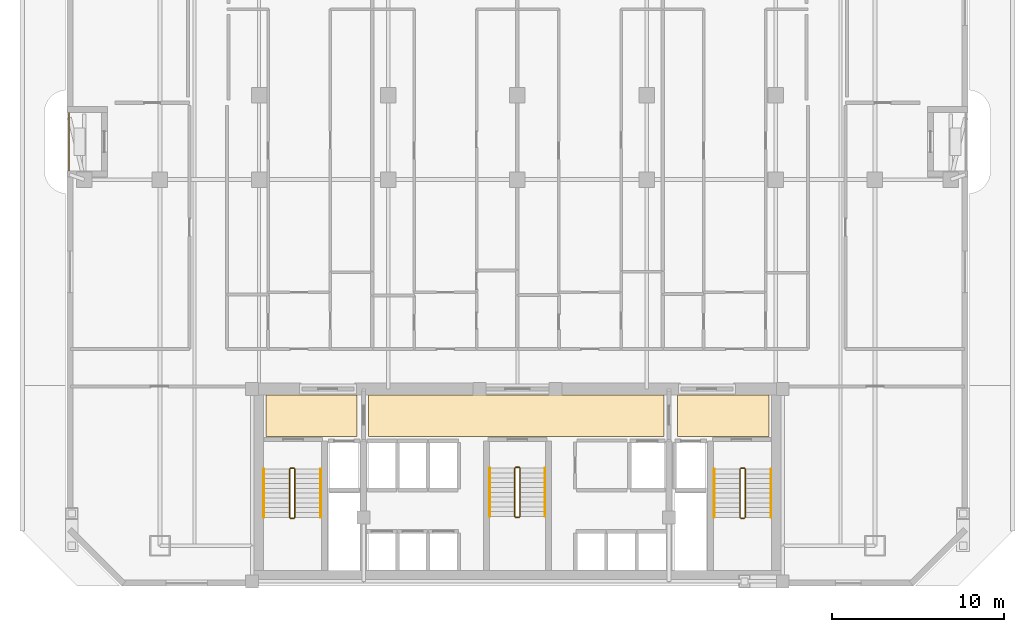
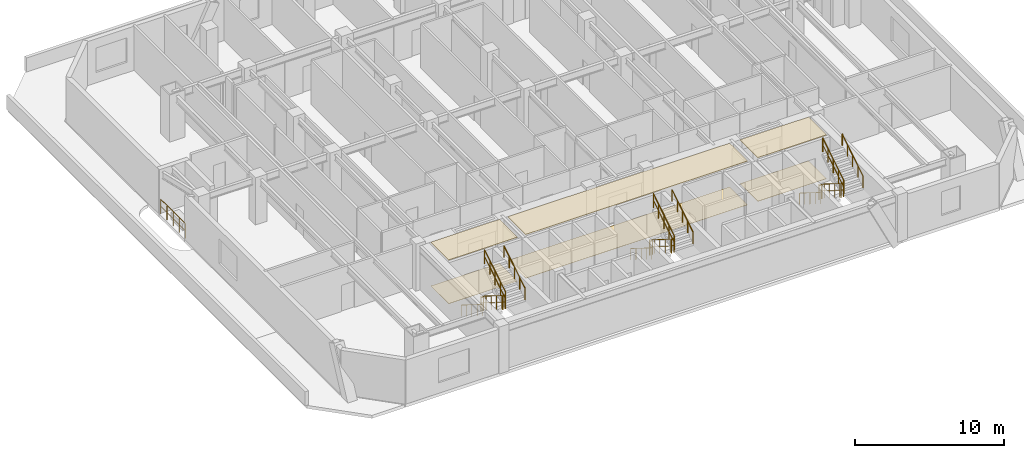
# One storey, part 9 of 10: 19 railings, 6 coverings.
"""IFC4 building model written with IfcOpenShell, lengths in metres."""

import ifcopenshell
import ifcopenshell.guid

model = None  # the IFC model being written
_history = None  # IfcOwnerHistory: only IFC2X3 demands one
_inside = {}  # id of a spatial element -> (the spatial element, [elements in it])
_under = {}  # id of a project, library or spatial element -> (it, [spatial elements below it])
_declared = {}  # id of a project -> (the project, [libraries it declares])
_typed = {}  # id of a type object -> (the type object, [elements of that type])
_made_of = {}  # id of a material, layer set ... -> (it, [elements and type objects made of it])


def new_model(schema):
    """Start an empty IFC model of exactly this schema.

    Asked for "IFC4X3", IfcOpenShell would pick the latest addendum, in which some entities
    have other attributes; the version numbers below select the first issue.
    IFC2X3 requires an IfcOwnerHistory on every rooted entity: one is made here for all.
    """
    global model, _history
    if schema == "IFC4X3":
        model = ifcopenshell.file(schema_version=(4, 3, 0, 0))
    else:
        model = ifcopenshell.file(schema=schema)
    _inside.clear()
    _under.clear()
    _declared.clear()
    _typed.clear()
    _made_of.clear()
    _history = None
    if model.schema == "IFC2X3":
        org = make("IfcOrganization", Name="unknown")
        user = make(
            "IfcPersonAndOrganization",
            ThePerson=make("IfcPerson", FamilyName="unknown"),
            TheOrganization=org,
        )
        app = make(
            "IfcApplication",
            ApplicationDeveloper=org,
            Version="unknown",
            ApplicationFullName="unknown",
            ApplicationIdentifier="unknown",
        )
        _history = make(
            "IfcOwnerHistory",
            OwningUser=user,
            OwningApplication=app,
            ChangeAction="ADDED",
            CreationDate=0,
        )
    return model


def make(cls, **values):
    """One entity of the class cls with the attributes given. An attribute that is None is left unset."""
    return model.create_entity(
        cls, **{name: value for name, value in values.items() if value is not None}
    )


def rooted(cls, **values):
    """An entity with a GlobalId (a new one), such as an element, a storey or a relation."""
    return make(cls, GlobalId=ifcopenshell.guid.new(), OwnerHistory=_history, **values)


def si_unit(unit_type, name, prefix=None):
    """IfcSIUnit, for example si_unit("LENGTHUNIT", "METRE", prefix="MILLI")."""
    return make("IfcSIUnit", UnitType=unit_type, Prefix=prefix, Name=name)


def assignment(units):
    """IfcUnitAssignment: the units of a project."""
    return None if units is None else make("IfcUnitAssignment", Units=units)


def point(xyz):
    """IfcCartesianPoint."""
    return None if xyz is None else make("IfcCartesianPoint", Coordinates=xyz)


def direction(xyz):
    """IfcDirection."""
    return None if xyz is None else make("IfcDirection", DirectionRatios=xyz)


def frame(location, z_axis=None, x_axis=None):
    """IfcAxis2Placement3D, a coordinate frame: its origin and axes. An axis left out is left unset."""
    return make(
        "IfcAxis2Placement3D",
        Location=point(location),
        Axis=direction(z_axis),
        RefDirection=direction(x_axis),
    )


def frame_2d(location, x_axis=None):
    """IfcAxis2Placement2D, a coordinate frame in the plane: its origin and x axis."""
    return make(
        "IfcAxis2Placement2D", Location=point(location), RefDirection=direction(x_axis)
    )


def origin():
    """The frame at (0, 0, 0) with its axes left unset."""
    return frame((0.0, 0.0, 0.0))


def origin_2d():
    """The frame at (0, 0) in the plane with its x axis left unset."""
    return frame_2d((0.0, 0.0))


def place(relative_to, where):
    """IfcLocalPlacement: puts the frame where relative to a parent placement (None: the world)."""
    return make(
        "IfcLocalPlacement", PlacementRelTo=relative_to, RelativePlacement=where
    )


def context(
    kind, dimensions, precision=None, world=None, true_north=None, identifier=None
):
    """IfcGeometricRepresentationContext, for example the 3D "Model" context."""
    return make(
        "IfcGeometricRepresentationContext",
        ContextIdentifier=identifier,
        ContextType=kind,
        CoordinateSpaceDimension=dimensions,
        Precision=precision,
        WorldCoordinateSystem=world,
        TrueNorth=true_north,
    )


def subcontext(parent, identifier, kind, view, scale=None):
    """IfcGeometricRepresentationSubContext, for example "Body" below "Model"."""
    return make(
        "IfcGeometricRepresentationSubContext",
        ContextIdentifier=identifier,
        ContextType=kind,
        ParentContext=parent,
        TargetScale=scale,
        TargetView=view,
    )


def project(units=None, contexts=None):
    """IfcProject with its units and contexts."""
    return rooted(
        "IfcProject",
        Name="project",
        RepresentationContexts=contexts,
        UnitsInContext=assignment(units),
    )


def spatial(cls, under=None, at=None, **own):
    """A site, building, storey or space (cls), placed at a placement, below another one or the project."""
    s = rooted(cls, ObjectPlacement=at, **own)
    if under is not None:
        _under.setdefault(under.id(), (under, []))[1].append(s)
    return s


def polyline(points):
    """IfcPolyline through the points."""
    return make("IfcPolyline", Points=[point(p) for p in points])


def profile(cls, at=None, kind="AREA", **sizes):
    """A parametric profile (cls). Its sizes go by their IFC names, for example OverallWidth=200.0."""
    return make(cls, ProfileType=kind, Position=at, **sizes)


def circle(**sizes):
    """IfcCircleProfileDef."""
    return profile("IfcCircleProfileDef", **sizes)


def outline(outer, holes=None, kind="AREA"):
    """IfcArbitraryClosedProfileDef: a profile drawn as a closed curve; with holes, ...WithVoids."""
    if holes is None:
        return make("IfcArbitraryClosedProfileDef", ProfileType=kind, OuterCurve=outer)
    return make(
        "IfcArbitraryProfileDefWithVoids",
        ProfileType=kind,
        OuterCurve=outer,
        InnerCurves=holes,
    )


def extrude(swept, where, along, depth):
    """IfcExtrudedAreaSolid: the profile swept, set in the frame where, extruded along a direction by depth."""
    return make(
        "IfcExtrudedAreaSolid",
        SweptArea=swept,
        Position=where,
        ExtrudedDirection=direction(along),
        Depth=depth,
    )


def shape(context_of_items, identifier, shape_type, items):
    """IfcShapeRepresentation: the items that make up one representation, for example the "Body"."""
    return make(
        "IfcShapeRepresentation",
        ContextOfItems=context_of_items,
        RepresentationIdentifier=identifier,
        RepresentationType=shape_type,
        Items=items,
    )


def material(Name=None, Category=None):
    """IfcMaterial."""
    return make("IfcMaterial", Name=Name, Category=Category)


def layer(
    of_material, thickness, ventilated=None, Name=None, Category=None, Priority=None
):
    """IfcMaterialLayer: one layer of a wall or slab, of a material (None: an air gap)."""
    return make(
        "IfcMaterialLayer",
        Material=of_material,
        LayerThickness=thickness,
        IsVentilated=ventilated,
        Name=Name,
        Category=Category,
        Priority=Priority,
    )


def layer_set(layers, Name=None):
    """IfcMaterialLayerSet."""
    return make("IfcMaterialLayerSet", MaterialLayers=layers, LayerSetName=Name)


def made_of(thing, what):
    """Note that an element or type object is made of a material, layer set ...; save() writes the relation."""
    if what is not None:
        _made_of.setdefault(what.id(), (what, []))[1].append(thing)
    return thing


def type_object(cls, material=None, **own):
    """A type object (cls), such as IfcWallType, which elements share."""
    return made_of(rooted(cls, **own), material)


def element(
    cls,
    number,
    at=None,
    inside=None,
    cuts=None,
    type_object=None,
    material=None,
    context=None,
    identifier="Body",
    shape_type=None,
    held_by="IfcProductDefinitionShape",
    body=None,
    shapes=None,
    **own,
):
    """One element of the class cls, such as IfcWall. Its Tag is "e" and its number.

    at: its placement. inside: the storey or other place that contains it. cuts: it is an
    opening in that element (IfcRelVoidsElement). A single representation is given by context,
    identifier, shape_type and body (its items); several are given by shapes. held_by: the class
    of the entity that holds the representations. save() writes the other relations.
    """
    e = rooted(cls, Tag="e%d" % number, ObjectPlacement=at, **own)
    if body is not None:
        shapes = [shape(context, identifier, shape_type, body)]
    if shapes is not None:
        e.Representation = make(held_by, Representations=shapes)
    if inside is not None:
        _inside.setdefault(inside.id(), (inside, []))[1].append(e)
    if cuts is not None:
        rooted(
            "IfcRelVoidsElement", RelatingBuildingElement=cuts, RelatedOpeningElement=e
        )
    if type_object is not None:
        _typed.setdefault(type_object.id(), (type_object, []))[1].append(e)
    return made_of(e, material)


def aggregate(whole, parts):
    """IfcRelAggregates: a whole, such as a stair, and the parts it consists of."""
    return rooted("IfcRelAggregates", RelatingObject=whole, RelatedObjects=parts)


def save(model, path):
    """Write the relations noted so far, then the file.

    IfcRelAggregates (storeys below a building ...), IfcRelContainedInSpatialStructure (elements
    in a storey), IfcRelDefinesByType, IfcRelAssociatesMaterial and IfcRelDeclares: one each for
    every whole, place, type object, material and project.
    """
    for whole, parts in _under.values():
        aggregate(whole, parts)
    for where, things in _inside.values():
        rooted(
            "IfcRelContainedInSpatialStructure",
            RelatedElements=things,
            RelatingStructure=where,
        )
    for kind, things in _typed.values():
        rooted("IfcRelDefinesByType", RelatedObjects=things, RelatingType=kind)
    for what, things in _made_of.values():
        rooted("IfcRelAssociatesMaterial", RelatedObjects=things, RelatingMaterial=what)
    for by, libraries in _declared.values():
        rooted("IfcRelDeclares", RelatingContext=by, RelatedDefinitions=libraries)
    model.write(path)


model = new_model("IFC4")

# Units and contexts
model_context = context("Model", 3, precision=1e-05, world=origin(), true_north=direction((0.0, 1.0)))
body_context = subcontext(model_context, "Body", "Model", "MODEL_VIEW")
ifc_project = project(units=[si_unit("LENGTHUNIT", "METRE"), si_unit("AREAUNIT", "SQUARE_METRE"), si_unit("VOLUMEUNIT", "CUBIC_METRE"), si_unit("PLANEANGLEUNIT", "RADIAN"), si_unit("MASSUNIT", "GRAM", prefix="KILO")], contexts=[model_context])

# Site, building, storey
site_placement = place(None, origin())
site = spatial("IfcSite", under=ifc_project, at=site_placement, CompositionType="ELEMENT")
building_placement = place(site_placement, origin())
building = spatial("IfcBuilding", under=site, at=building_placement, Name="Ventersveld Concourse Tower", CompositionType="ELEMENT")
storey_placement = place(building_placement, frame((0.0, 0.0, 92.60009765625)))
storey = spatial("IfcBuildingStorey", under=building, at=storey_placement, Name="L22", CompositionType="ELEMENT", Elevation=92.60009765625)

# Coverings
ifc_material_1 = material(Name="Mineral-fibre acoustic ceiling tile", Category="gypsum")
ifc_layer_1 = layer(ifc_material_1, 0.0400390625)
ifc_layer_set_1 = layer_set([ifc_layer_1], Name="Mineral-fibre acoustic ceiling tile")
covering_type_1 = type_object("IfcCoveringType", Name="COV-CEIL-ACOUSTIC", PredefinedType="CEILING", material=ifc_layer_set_1)
covering_1_placement = place(storey_placement, frame((0.0, 0.0, 3.559814453125)))
element("IfcCovering", 1, at=covering_1_placement, inside=storey, type_object=covering_type_1, Name="L22 North Lift Lobby Acoustic Ceiling", PredefinedType="CEILING", context=body_context, shape_type="SweptSolid", body=[
    extrude(outline(polyline([(20.10009765625, 8.699951171875), (37.25, 8.699951171875), (37.25, 11.10009765625), (20.10009765625, 11.10009765625), (20.10009765625, 8.699951171875)])), origin(), (0.0, 0.0, 1.0), 0.0400390625),
])
covering_2_placement = place(storey_placement, frame((0.0, 0.0, 3.559814453125)))
element("IfcCovering", 2, at=covering_2_placement, inside=storey, type_object=covering_type_1, Name="L22 West Firefighting Lobby Acoustic Ceiling", PredefinedType="CEILING", context=body_context, shape_type="SweptSolid", body=[
    extrude(outline(polyline([(14.14990234375, 8.699951171875), (19.449951171875, 8.699951171875), (19.449951171875, 11.10009765625), (14.14990234375, 11.10009765625), (14.14990234375, 8.699951171875)])), origin(), (0.0, 0.0, 1.0), 0.0400390625),
])
covering_3_placement = place(storey_placement, frame((0.0, 0.0, 3.559814453125)))
element("IfcCovering", 3, at=covering_3_placement, inside=storey, type_object=covering_type_1, Name="L22 East Firefighting Lobby Acoustic Ceiling", PredefinedType="CEILING", context=body_context, shape_type="SweptSolid", body=[
    extrude(outline(polyline([(38.050048828125, 8.699951171875), (43.35009765625, 8.699951171875), (43.35009765625, 11.10009765625), (38.050048828125, 11.10009765625), (38.050048828125, 8.699951171875)])), origin(), (0.0, 0.0, 1.0), 0.0400390625),
])
ifc_material_2 = material(Name="Polished Highveld granite terrazzo", Category="masonry")
ifc_layer_2 = layer(ifc_material_2, 0.02001953125)
ifc_layer_set_2 = layer_set([ifc_layer_2], Name="Polished Highveld granite terrazzo")
covering_type_2 = type_object("IfcCoveringType", Name="COV-FLOOR-TERRAZZO", PredefinedType="FLOORING", material=ifc_layer_set_2)
covering_4_placement = place(storey_placement, origin())
element("IfcCovering", 4, at=covering_4_placement, inside=storey, type_object=covering_type_2, Name="L22 North Lift Lobby Terrazzo Flooring", PredefinedType="FLOORING", context=body_context, shape_type="SweptSolid", body=[
    extrude(outline(polyline([(20.10009765625, 8.699951171875), (37.25, 8.699951171875), (37.25, 11.10009765625), (20.10009765625, 11.10009765625), (20.10009765625, 8.699951171875)])), origin(), (0.0, 0.0, 1.0), 0.02001953125),
])
covering_5_placement = place(storey_placement, origin())
element("IfcCovering", 5, at=covering_5_placement, inside=storey, type_object=covering_type_2, Name="L22 West Firefighting Lobby Terrazzo Flooring", PredefinedType="FLOORING", context=body_context, shape_type="SweptSolid", body=[
    extrude(outline(polyline([(14.14990234375, 8.699951171875), (19.449951171875, 8.699951171875), (19.449951171875, 11.10009765625), (14.14990234375, 11.10009765625), (14.14990234375, 8.699951171875)])), origin(), (0.0, 0.0, 1.0), 0.02001953125),
])
covering_6_placement = place(storey_placement, origin())
element("IfcCovering", 6, at=covering_6_placement, inside=storey, type_object=covering_type_2, Name="L22 East Firefighting Lobby Terrazzo Flooring", PredefinedType="FLOORING", context=body_context, shape_type="SweptSolid", body=[
    extrude(outline(polyline([(38.050048828125, 8.699951171875), (43.35009765625, 8.699951171875), (43.35009765625, 11.10009765625), (38.050048828125, 11.10009765625), (38.050048828125, 8.699951171875)])), origin(), (0.0, 0.0, 1.0), 0.02001953125),
])

# Railings
ifc_material_3 = material(Name="Brushed stainless steel 316", Category="steel")
railing_type_1 = type_object("IfcRailingType", Name="GD-BAL-115", PredefinedType="GUARDRAIL", material=ifc_material_3)
railing_1_placement = place(storey_placement, frame((15.530029296875, 6.800048828125, 0.1748046875)))
element("IfcRailing", 7, at=railing_1_placement, inside=storey, type_object=railing_type_1, Name="L22 ST-01 stair guard 1", PredefinedType="GUARDRAIL", context=body_context, shape_type="SweptSolid", body=[
    extrude(circle(Radius=0.02392578125, at=origin_2d()), frame((0.0, 0.0, 1.1259765625), z_axis=(0.0, -0.848002457836, 0.529992293815), x_axis=(1.0, 0.0, 0.0)), (0.0, 0.0, 1.0), 3.302001953125),
    extrude(circle(Radius=0.01611328125, at=origin_2d()), frame((0.0, 0.0, 0.574951171875), z_axis=(0.0, -0.848002457836, 0.529992293815), x_axis=(1.0, 0.0, 0.0)), (0.0, 0.0, 1.0), 3.302001953125),
    extrude(circle(Radius=0.02099609375, at=origin_2d()), origin(), (0.0, 0.0, 1.0), 1.101806640625),
    extrude(circle(Radius=0.02099609375, at=origin_2d()), frame((0.0, -0.699951171875, 0.4375)), (0.0, 0.0, 1.0), 1.101806640625),
    extrude(circle(Radius=0.02099609375, at=origin_2d()), frame((0.0, -1.39990234375, 0.875)), (0.0, 0.0, 1.0), 1.101806640625),
    extrude(circle(Radius=0.02099609375, at=origin_2d()), frame((0.0, -2.10009765625, 1.3125)), (0.0, 0.0, 1.0), 1.101806640625),
    extrude(circle(Radius=0.02099609375, at=origin_2d()), frame((0.0, -2.800048828125, 1.75)), (0.0, 0.0, 1.0), 1.101806640625),
])
railing_2_placement = place(storey_placement, frame((15.580078125, 3.949951171875, 1.9248046875)))
element("IfcRailing", 8, at=railing_2_placement, inside=storey, type_object=railing_type_1, Name="L22 ST-01 stair guard 2", PredefinedType="GUARDRAIL", context=body_context, shape_type="SweptSolid", body=[
    extrude(circle(Radius=0.02392578125, at=origin_2d()), frame((0.0, 0.0, 1.1259765625), z_axis=(1.0, 0.0, 0.0), x_axis=(0.0, 1.0, 0.0)), (0.0, 0.0, 1.0), 0.199951171875),
    extrude(circle(Radius=0.01611328125, at=origin_2d()), frame((0.0, 0.0, 0.574951171875), z_axis=(1.0, 0.0, 0.0), x_axis=(0.0, 1.0, 0.0)), (0.0, 0.0, 1.0), 0.199951171875),
    extrude(circle(Radius=0.02099609375, at=origin_2d()), origin(), (0.0, 0.0, 1.0), 1.101806640625),
    extrude(circle(Radius=0.02099609375, at=origin_2d()), frame((0.199951171875, 0.0, 0.0)), (0.0, 0.0, 1.0), 1.101806640625),
])
railing_3_placement = place(storey_placement, frame((15.830078125, 4.0, 2.099853515625)))
element("IfcRailing", 9, at=railing_3_placement, inside=storey, type_object=railing_type_1, Name="L22 ST-01 stair guard 3", PredefinedType="GUARDRAIL", context=body_context, shape_type="SweptSolid", body=[
    extrude(circle(Radius=0.02392578125, at=origin_2d()), frame((0.0, 0.0, 1.1259765625), z_axis=(0.0, 0.848002457836, 0.529992293815), x_axis=(-1.0, 0.0, 0.0)), (0.0, 0.0, 1.0), 3.302001953125),
    extrude(circle(Radius=0.01611328125, at=origin_2d()), frame((0.0, 0.0, 0.574951171875), z_axis=(0.0, 0.848002457836, 0.529992293815), x_axis=(-1.0, 0.0, 0.0)), (0.0, 0.0, 1.0), 3.302001953125),
    extrude(circle(Radius=0.02099609375, at=origin_2d()), origin(), (0.0, 0.0, 1.0), 1.101806640625),
    extrude(circle(Radius=0.02099609375, at=origin_2d()), frame((0.0, 0.699951171875, 0.4375)), (0.0, 0.0, 1.0), 1.101806640625),
    extrude(circle(Radius=0.02099609375, at=origin_2d()), frame((0.0, 1.39990234375, 0.875)), (0.0, 0.0, 1.0), 1.101806640625),
    extrude(circle(Radius=0.02099609375, at=origin_2d()), frame((0.0, 2.10009765625, 1.3125)), (0.0, 0.0, 1.0), 1.101806640625),
    extrude(circle(Radius=0.02099609375, at=origin_2d()), frame((0.0, 2.800048828125, 1.75)), (0.0, 0.0, 1.0), 1.101806640625),
])
railing_4_placement = place(storey_placement, frame((15.580078125, 6.85009765625, 0.0)))
element("IfcRailing", 10, at=railing_4_placement, inside=storey, type_object=railing_type_1, Name="L22 ST-01 stair guard 4", PredefinedType="GUARDRAIL", context=body_context, shape_type="SweptSolid", body=[
    extrude(circle(Radius=0.02392578125, at=origin_2d()), frame((0.0, 0.0, 1.1259765625), z_axis=(1.0, 0.0, 0.0), x_axis=(0.0, 1.0, 0.0)), (0.0, 0.0, 1.0), 0.199951171875),
    extrude(circle(Radius=0.01611328125, at=origin_2d()), frame((0.0, 0.0, 0.574951171875), z_axis=(1.0, 0.0, 0.0), x_axis=(0.0, 1.0, 0.0)), (0.0, 0.0, 1.0), 0.199951171875),
    extrude(circle(Radius=0.02099609375, at=origin_2d()), origin(), (0.0, 0.0, 1.0), 1.101806640625),
    extrude(circle(Radius=0.02099609375, at=origin_2d()), frame((0.199951171875, 0.0, 0.0)), (0.0, 0.0, 1.0), 1.101806640625),
])
railing_5_placement = place(storey_placement, frame((41.669921875, 6.800048828125, 0.1748046875)))
element("IfcRailing", 11, at=railing_5_placement, inside=storey, type_object=railing_type_1, Name="L22 ST-02 stair guard 1", PredefinedType="GUARDRAIL", context=body_context, shape_type="SweptSolid", body=[
    extrude(circle(Radius=0.02392578125, at=origin_2d()), frame((0.0, 0.0, 1.1259765625), z_axis=(0.0, -0.848002457836, 0.529992293815), x_axis=(1.0, 0.0, 0.0)), (0.0, 0.0, 1.0), 3.302001953125),
    extrude(circle(Radius=0.01611328125, at=origin_2d()), frame((0.0, 0.0, 0.574951171875), z_axis=(0.0, -0.848002457836, 0.529992293815), x_axis=(1.0, 0.0, 0.0)), (0.0, 0.0, 1.0), 3.302001953125),
    extrude(circle(Radius=0.02099609375, at=origin_2d()), origin(), (0.0, 0.0, 1.0), 1.101806640625),
    extrude(circle(Radius=0.02099609375, at=origin_2d()), frame((0.0, -0.699951171875, 0.4375)), (0.0, 0.0, 1.0), 1.101806640625),
    extrude(circle(Radius=0.02099609375, at=origin_2d()), frame((0.0, -1.39990234375, 0.875)), (0.0, 0.0, 1.0), 1.101806640625),
    extrude(circle(Radius=0.02099609375, at=origin_2d()), frame((0.0, -2.10009765625, 1.3125)), (0.0, 0.0, 1.0), 1.101806640625),
    extrude(circle(Radius=0.02099609375, at=origin_2d()), frame((0.0, -2.800048828125, 1.75)), (0.0, 0.0, 1.0), 1.101806640625),
])
railing_6_placement = place(storey_placement, frame((41.719970703125, 3.949951171875, 1.9248046875)))
element("IfcRailing", 12, at=railing_6_placement, inside=storey, type_object=railing_type_1, Name="L22 ST-02 stair guard 2", PredefinedType="GUARDRAIL", context=body_context, shape_type="SweptSolid", body=[
    extrude(circle(Radius=0.02392578125, at=origin_2d()), frame((0.0, 0.0, 1.1259765625), z_axis=(1.0, 0.0, 0.0), x_axis=(0.0, 1.0, 0.0)), (0.0, 0.0, 1.0), 0.199951171875),
    extrude(circle(Radius=0.01611328125, at=origin_2d()), frame((0.0, 0.0, 0.574951171875), z_axis=(1.0, 0.0, 0.0), x_axis=(0.0, 1.0, 0.0)), (0.0, 0.0, 1.0), 0.199951171875),
    extrude(circle(Radius=0.02099609375, at=origin_2d()), origin(), (0.0, 0.0, 1.0), 1.101806640625),
    extrude(circle(Radius=0.02099609375, at=origin_2d()), frame((0.199951171875, 0.0, 0.0)), (0.0, 0.0, 1.0), 1.101806640625),
])
railing_7_placement = place(storey_placement, frame((41.969970703125, 4.0, 2.099853515625)))
element("IfcRailing", 13, at=railing_7_placement, inside=storey, type_object=railing_type_1, Name="L22 ST-02 stair guard 3", PredefinedType="GUARDRAIL", context=body_context, shape_type="SweptSolid", body=[
    extrude(circle(Radius=0.02392578125, at=origin_2d()), frame((0.0, 0.0, 1.1259765625), z_axis=(0.0, 0.848002457836, 0.529992293815), x_axis=(-1.0, 0.0, 0.0)), (0.0, 0.0, 1.0), 3.302001953125),
    extrude(circle(Radius=0.01611328125, at=origin_2d()), frame((0.0, 0.0, 0.574951171875), z_axis=(0.0, 0.848002457836, 0.529992293815), x_axis=(-1.0, 0.0, 0.0)), (0.0, 0.0, 1.0), 3.302001953125),
    extrude(circle(Radius=0.02099609375, at=origin_2d()), origin(), (0.0, 0.0, 1.0), 1.101806640625),
    extrude(circle(Radius=0.02099609375, at=origin_2d()), frame((0.0, 0.699951171875, 0.4375)), (0.0, 0.0, 1.0), 1.101806640625),
    extrude(circle(Radius=0.02099609375, at=origin_2d()), frame((0.0, 1.39990234375, 0.875)), (0.0, 0.0, 1.0), 1.101806640625),
    extrude(circle(Radius=0.02099609375, at=origin_2d()), frame((0.0, 2.10009765625, 1.3125)), (0.0, 0.0, 1.0), 1.101806640625),
    extrude(circle(Radius=0.02099609375, at=origin_2d()), frame((0.0, 2.800048828125, 1.75)), (0.0, 0.0, 1.0), 1.101806640625),
])
railing_8_placement = place(storey_placement, frame((41.719970703125, 6.85009765625, 0.0)))
element("IfcRailing", 14, at=railing_8_placement, inside=storey, type_object=railing_type_1, Name="L22 ST-02 stair guard 4", PredefinedType="GUARDRAIL", context=body_context, shape_type="SweptSolid", body=[
    extrude(circle(Radius=0.02392578125, at=origin_2d()), frame((0.0, 0.0, 1.1259765625), z_axis=(1.0, 0.0, 0.0), x_axis=(0.0, 1.0, 0.0)), (0.0, 0.0, 1.0), 0.199951171875),
    extrude(circle(Radius=0.01611328125, at=origin_2d()), frame((0.0, 0.0, 0.574951171875), z_axis=(1.0, 0.0, 0.0), x_axis=(0.0, 1.0, 0.0)), (0.0, 0.0, 1.0), 0.199951171875),
    extrude(circle(Radius=0.02099609375, at=origin_2d()), origin(), (0.0, 0.0, 1.0), 1.101806640625),
    extrude(circle(Radius=0.02099609375, at=origin_2d()), frame((0.199951171875, 0.0, 0.0)), (0.0, 0.0, 1.0), 1.101806640625),
])
railing_9_placement = place(storey_placement, frame((28.60009765625, 6.85009765625, 0.1748046875)))
element("IfcRailing", 15, at=railing_9_placement, inside=storey, type_object=railing_type_1, Name="L22 ST-03 stair guard 1", PredefinedType="GUARDRAIL", context=body_context, shape_type="SweptSolid", body=[
    extrude(circle(Radius=0.02392578125, at=origin_2d()), frame((0.0, 0.0, 1.1259765625), z_axis=(0.0, -0.848002457836, 0.529992293815), x_axis=(1.0, 0.0, 0.0)), (0.0, 0.0, 1.0), 3.302001953125),
    extrude(circle(Radius=0.01611328125, at=origin_2d()), frame((0.0, 0.0, 0.574951171875), z_axis=(0.0, -0.848002457836, 0.529992293815), x_axis=(1.0, 0.0, 0.0)), (0.0, 0.0, 1.0), 3.302001953125),
    extrude(circle(Radius=0.02099609375, at=origin_2d()), origin(), (0.0, 0.0, 1.0), 1.101806640625),
    extrude(circle(Radius=0.02099609375, at=origin_2d()), frame((0.0, -0.699951171875, 0.4375)), (0.0, 0.0, 1.0), 1.101806640625),
    extrude(circle(Radius=0.02099609375, at=origin_2d()), frame((0.0, -1.39990234375, 0.875)), (0.0, 0.0, 1.0), 1.101806640625),
    extrude(circle(Radius=0.02099609375, at=origin_2d()), frame((0.0, -2.10009765625, 1.3125)), (0.0, 0.0, 1.0), 1.101806640625),
    extrude(circle(Radius=0.02099609375, at=origin_2d()), frame((0.0, -2.800048828125, 1.75)), (0.0, 0.0, 1.0), 1.101806640625),
])
railing_10_placement = place(storey_placement, frame((28.64990234375, 4.0, 1.9248046875)))
element("IfcRailing", 16, at=railing_10_placement, inside=storey, type_object=railing_type_1, Name="L22 ST-03 stair guard 2", PredefinedType="GUARDRAIL", context=body_context, shape_type="SweptSolid", body=[
    extrude(circle(Radius=0.02392578125, at=origin_2d()), frame((0.0, 0.0, 1.1259765625), z_axis=(1.0, 0.0, 0.0), x_axis=(0.0, 1.0, 0.0)), (0.0, 0.0, 1.0), 0.2001953125),
    extrude(circle(Radius=0.01611328125, at=origin_2d()), frame((0.0, 0.0, 0.574951171875), z_axis=(1.0, 0.0, 0.0), x_axis=(0.0, 1.0, 0.0)), (0.0, 0.0, 1.0), 0.2001953125),
    extrude(circle(Radius=0.02099609375, at=origin_2d()), origin(), (0.0, 0.0, 1.0), 1.101806640625),
    extrude(circle(Radius=0.02099609375, at=origin_2d()), frame((0.2001953125, 0.0, 0.0)), (0.0, 0.0, 1.0), 1.101806640625),
])
railing_11_placement = place(storey_placement, frame((28.89990234375, 4.050048828125, 2.099853515625)))
element("IfcRailing", 17, at=railing_11_placement, inside=storey, type_object=railing_type_1, Name="L22 ST-03 stair guard 3", PredefinedType="GUARDRAIL", context=body_context, shape_type="SweptSolid", body=[
    extrude(circle(Radius=0.02392578125, at=origin_2d()), frame((0.0, 0.0, 1.1259765625), z_axis=(0.0, 0.848002457836, 0.529992293815), x_axis=(-1.0, 0.0, 0.0)), (0.0, 0.0, 1.0), 3.302001953125),
    extrude(circle(Radius=0.01611328125, at=origin_2d()), frame((0.0, 0.0, 0.574951171875), z_axis=(0.0, 0.848002457836, 0.529992293815), x_axis=(-1.0, 0.0, 0.0)), (0.0, 0.0, 1.0), 3.302001953125),
    extrude(circle(Radius=0.02099609375, at=origin_2d()), origin(), (0.0, 0.0, 1.0), 1.101806640625),
    extrude(circle(Radius=0.02099609375, at=origin_2d()), frame((0.0, 0.699951171875, 0.4375)), (0.0, 0.0, 1.0), 1.101806640625),
    extrude(circle(Radius=0.02099609375, at=origin_2d()), frame((0.0, 1.39990234375, 0.875)), (0.0, 0.0, 1.0), 1.101806640625),
    extrude(circle(Radius=0.02099609375, at=origin_2d()), frame((0.0, 2.10009765625, 1.3125)), (0.0, 0.0, 1.0), 1.101806640625),
    extrude(circle(Radius=0.02099609375, at=origin_2d()), frame((0.0, 2.800048828125, 1.75)), (0.0, 0.0, 1.0), 1.101806640625),
])
railing_12_placement = place(storey_placement, frame((28.64990234375, 6.89990234375, 0.0)))
element("IfcRailing", 18, at=railing_12_placement, inside=storey, type_object=railing_type_1, Name="L22 ST-03 stair guard 4", PredefinedType="GUARDRAIL", context=body_context, shape_type="SweptSolid", body=[
    extrude(circle(Radius=0.02392578125, at=origin_2d()), frame((0.0, 0.0, 1.1259765625), z_axis=(1.0, 0.0, 0.0), x_axis=(0.0, 1.0, 0.0)), (0.0, 0.0, 1.0), 0.2001953125),
    extrude(circle(Radius=0.01611328125, at=origin_2d()), frame((0.0, 0.0, 0.574951171875), z_axis=(1.0, 0.0, 0.0), x_axis=(0.0, 1.0, 0.0)), (0.0, 0.0, 1.0), 0.2001953125),
    extrude(circle(Radius=0.02099609375, at=origin_2d()), origin(), (0.0, 0.0, 1.0), 1.101806640625),
    extrude(circle(Radius=0.02099609375, at=origin_2d()), frame((0.2001953125, 0.0, 0.0)), (0.0, 0.0, 1.0), 1.101806640625),
])
railing_type_2 = type_object("IfcRailingType", Name="GD-TER-120", PredefinedType="GUARDRAIL", material=ifc_material_3)
railing_13_placement = place(storey_placement, frame((2.719970703125, 24.14990234375, 0.0)))
element("IfcRailing", 19, at=railing_13_placement, inside=storey, type_object=railing_type_2, Name="L22 Outdoor Terrace Guardrail NOTCH-W", PredefinedType="GUARDRAIL", context=body_context, shape_type="SweptSolid", body=[
    extrude(circle(Radius=0.02392578125, at=origin_2d()), frame((0.0, 0.0, 1.17578125), z_axis=(0.0, 1.0, 0.0), x_axis=(-1.0, 0.0, 0.0)), (0.0, 0.0, 1.0), 3.300048828125),
    extrude(circle(Radius=0.01611328125, at=origin_2d()), frame((0.0, 0.0, 0.60009765625), z_axis=(0.0, 1.0, 0.0), x_axis=(-1.0, 0.0, 0.0)), (0.0, 0.0, 1.0), 3.300048828125),
    extrude(circle(Radius=0.02099609375, at=origin_2d()), origin(), (0.0, 0.0, 1.0), 1.15185546875),
    extrude(circle(Radius=0.02099609375, at=origin_2d()), frame((0.0, 0.824951171875, 0.0)), (0.0, 0.0, 1.0), 1.15185546875),
    extrude(circle(Radius=0.02099609375, at=origin_2d()), frame((0.0, 1.64990234375, 0.0)), (0.0, 0.0, 1.0), 1.15185546875),
    extrude(circle(Radius=0.02099609375, at=origin_2d()), frame((0.0, 2.47509765625, 0.0)), (0.0, 0.0, 1.0), 1.15185546875),
    extrude(circle(Radius=0.02099609375, at=origin_2d()), frame((0.0, 3.300048828125, 0.0)), (0.0, 0.0, 1.0), 1.15185546875),
])
railing_type_3 = type_object("IfcRailingType", Name="HR-RMP-095", PredefinedType="HANDRAIL", material=ifc_material_3)
railing_14_placement = place(storey_placement, frame((14.030029296875, 6.800048828125, 0.1748046875)))
element("IfcRailing", 20, at=railing_14_placement, inside=storey, type_object=railing_type_3, Name="L22 ST-01 stair handrail 1", PredefinedType="HANDRAIL", context=body_context, shape_type="SweptSolid", body=[
    extrude(circle(Radius=0.02392578125, at=origin_2d()), frame((0.0, 0.0, 0.92578125), z_axis=(0.0, -0.848002457836, 0.529992293815), x_axis=(1.0, 0.0, 0.0)), (0.0, 0.0, 1.0), 3.302001953125),
    extrude(circle(Radius=0.02099609375, at=origin_2d()), origin(), (0.0, 0.0, 1.0), 0.90185546875),
    extrude(circle(Radius=0.02099609375, at=origin_2d()), frame((0.0, -0.699951171875, 0.4375)), (0.0, 0.0, 1.0), 0.90185546875),
    extrude(circle(Radius=0.02099609375, at=origin_2d()), frame((0.0, -1.39990234375, 0.875)), (0.0, 0.0, 1.0), 0.90185546875),
    extrude(circle(Radius=0.02099609375, at=origin_2d()), frame((0.0, -2.10009765625, 1.3125)), (0.0, 0.0, 1.0), 0.90185546875),
    extrude(circle(Radius=0.02099609375, at=origin_2d()), frame((0.0, -2.800048828125, 1.75)), (0.0, 0.0, 1.0), 0.90185546875),
])
railing_15_placement = place(storey_placement, frame((17.330078125, 4.0, 2.099853515625)))
element("IfcRailing", 21, at=railing_15_placement, inside=storey, type_object=railing_type_3, Name="L22 ST-01 stair handrail 2", PredefinedType="HANDRAIL", context=body_context, shape_type="SweptSolid", body=[
    extrude(circle(Radius=0.02392578125, at=origin_2d()), frame((0.0, 0.0, 0.92578125), z_axis=(0.0, 0.848002457836, 0.529992293815), x_axis=(-1.0, 0.0, 0.0)), (0.0, 0.0, 1.0), 3.302001953125),
    extrude(circle(Radius=0.02099609375, at=origin_2d()), origin(), (0.0, 0.0, 1.0), 0.90185546875),
    extrude(circle(Radius=0.02099609375, at=origin_2d()), frame((0.0, 0.699951171875, 0.4375)), (0.0, 0.0, 1.0), 0.90185546875),
    extrude(circle(Radius=0.02099609375, at=origin_2d()), frame((0.0, 1.39990234375, 0.875)), (0.0, 0.0, 1.0), 0.90185546875),
    extrude(circle(Radius=0.02099609375, at=origin_2d()), frame((0.0, 2.10009765625, 1.3125)), (0.0, 0.0, 1.0), 0.90185546875),
    extrude(circle(Radius=0.02099609375, at=origin_2d()), frame((0.0, 2.800048828125, 1.75)), (0.0, 0.0, 1.0), 0.90185546875),
])
railing_16_placement = place(storey_placement, frame((40.169921875, 6.800048828125, 0.1748046875)))
element("IfcRailing", 22, at=railing_16_placement, inside=storey, type_object=railing_type_3, Name="L22 ST-02 stair handrail 1", PredefinedType="HANDRAIL", context=body_context, shape_type="SweptSolid", body=[
    extrude(circle(Radius=0.02392578125, at=origin_2d()), frame((0.0, 0.0, 0.92578125), z_axis=(0.0, -0.848002457836, 0.529992293815), x_axis=(1.0, 0.0, 0.0)), (0.0, 0.0, 1.0), 3.302001953125),
    extrude(circle(Radius=0.02099609375, at=origin_2d()), origin(), (0.0, 0.0, 1.0), 0.90185546875),
    extrude(circle(Radius=0.02099609375, at=origin_2d()), frame((0.0, -0.699951171875, 0.4375)), (0.0, 0.0, 1.0), 0.90185546875),
    extrude(circle(Radius=0.02099609375, at=origin_2d()), frame((0.0, -1.39990234375, 0.875)), (0.0, 0.0, 1.0), 0.90185546875),
    extrude(circle(Radius=0.02099609375, at=origin_2d()), frame((0.0, -2.10009765625, 1.3125)), (0.0, 0.0, 1.0), 0.90185546875),
    extrude(circle(Radius=0.02099609375, at=origin_2d()), frame((0.0, -2.800048828125, 1.75)), (0.0, 0.0, 1.0), 0.90185546875),
])
railing_17_placement = place(storey_placement, frame((43.469970703125, 4.0, 2.099853515625)))
element("IfcRailing", 23, at=railing_17_placement, inside=storey, type_object=railing_type_3, Name="L22 ST-02 stair handrail 2", PredefinedType="HANDRAIL", context=body_context, shape_type="SweptSolid", body=[
    extrude(circle(Radius=0.02392578125, at=origin_2d()), frame((0.0, 0.0, 0.92578125), z_axis=(0.0, 0.848002457836, 0.529992293815), x_axis=(-1.0, 0.0, 0.0)), (0.0, 0.0, 1.0), 3.302001953125),
    extrude(circle(Radius=0.02099609375, at=origin_2d()), origin(), (0.0, 0.0, 1.0), 0.90185546875),
    extrude(circle(Radius=0.02099609375, at=origin_2d()), frame((0.0, 0.699951171875, 0.4375)), (0.0, 0.0, 1.0), 0.90185546875),
    extrude(circle(Radius=0.02099609375, at=origin_2d()), frame((0.0, 1.39990234375, 0.875)), (0.0, 0.0, 1.0), 0.90185546875),
    extrude(circle(Radius=0.02099609375, at=origin_2d()), frame((0.0, 2.10009765625, 1.3125)), (0.0, 0.0, 1.0), 0.90185546875),
    extrude(circle(Radius=0.02099609375, at=origin_2d()), frame((0.0, 2.800048828125, 1.75)), (0.0, 0.0, 1.0), 0.90185546875),
])
railing_18_placement = place(storey_placement, frame((27.14990234375, 6.85009765625, 0.1748046875)))
element("IfcRailing", 24, at=railing_18_placement, inside=storey, type_object=railing_type_3, Name="L22 ST-03 stair handrail 1", PredefinedType="HANDRAIL", context=body_context, shape_type="SweptSolid", body=[
    extrude(circle(Radius=0.02392578125, at=origin_2d()), frame((0.0, 0.0, 0.92578125), z_axis=(0.0, -0.848002457836, 0.529992293815), x_axis=(1.0, 0.0, 0.0)), (0.0, 0.0, 1.0), 3.302001953125),
    extrude(circle(Radius=0.02099609375, at=origin_2d()), origin(), (0.0, 0.0, 1.0), 0.90185546875),
    extrude(circle(Radius=0.02099609375, at=origin_2d()), frame((0.0, -0.699951171875, 0.4375)), (0.0, 0.0, 1.0), 0.90185546875),
    extrude(circle(Radius=0.02099609375, at=origin_2d()), frame((0.0, -1.39990234375, 0.875)), (0.0, 0.0, 1.0), 0.90185546875),
    extrude(circle(Radius=0.02099609375, at=origin_2d()), frame((0.0, -2.10009765625, 1.3125)), (0.0, 0.0, 1.0), 0.90185546875),
    extrude(circle(Radius=0.02099609375, at=origin_2d()), frame((0.0, -2.800048828125, 1.75)), (0.0, 0.0, 1.0), 0.90185546875),
])
railing_19_placement = place(storey_placement, frame((30.35009765625, 4.050048828125, 2.099853515625)))
element("IfcRailing", 25, at=railing_19_placement, inside=storey, type_object=railing_type_3, Name="L22 ST-03 stair handrail 2", PredefinedType="HANDRAIL", context=body_context, shape_type="SweptSolid", body=[
    extrude(circle(Radius=0.02392578125, at=origin_2d()), frame((0.0, 0.0, 0.92578125), z_axis=(0.0, 0.848002457836, 0.529992293815), x_axis=(-1.0, 0.0, 0.0)), (0.0, 0.0, 1.0), 3.302001953125),
    extrude(circle(Radius=0.02099609375, at=origin_2d()), origin(), (0.0, 0.0, 1.0), 0.90185546875),
    extrude(circle(Radius=0.02099609375, at=origin_2d()), frame((0.0, 0.699951171875, 0.4375)), (0.0, 0.0, 1.0), 0.90185546875),
    extrude(circle(Radius=0.02099609375, at=origin_2d()), frame((0.0, 1.39990234375, 0.875)), (0.0, 0.0, 1.0), 0.90185546875),
    extrude(circle(Radius=0.02099609375, at=origin_2d()), frame((0.0, 2.10009765625, 1.3125)), (0.0, 0.0, 1.0), 0.90185546875),
    extrude(circle(Radius=0.02099609375, at=origin_2d()), frame((0.0, 2.800048828125, 1.75)), (0.0, 0.0, 1.0), 0.90185546875),
])

save(model, "model.ifc")
